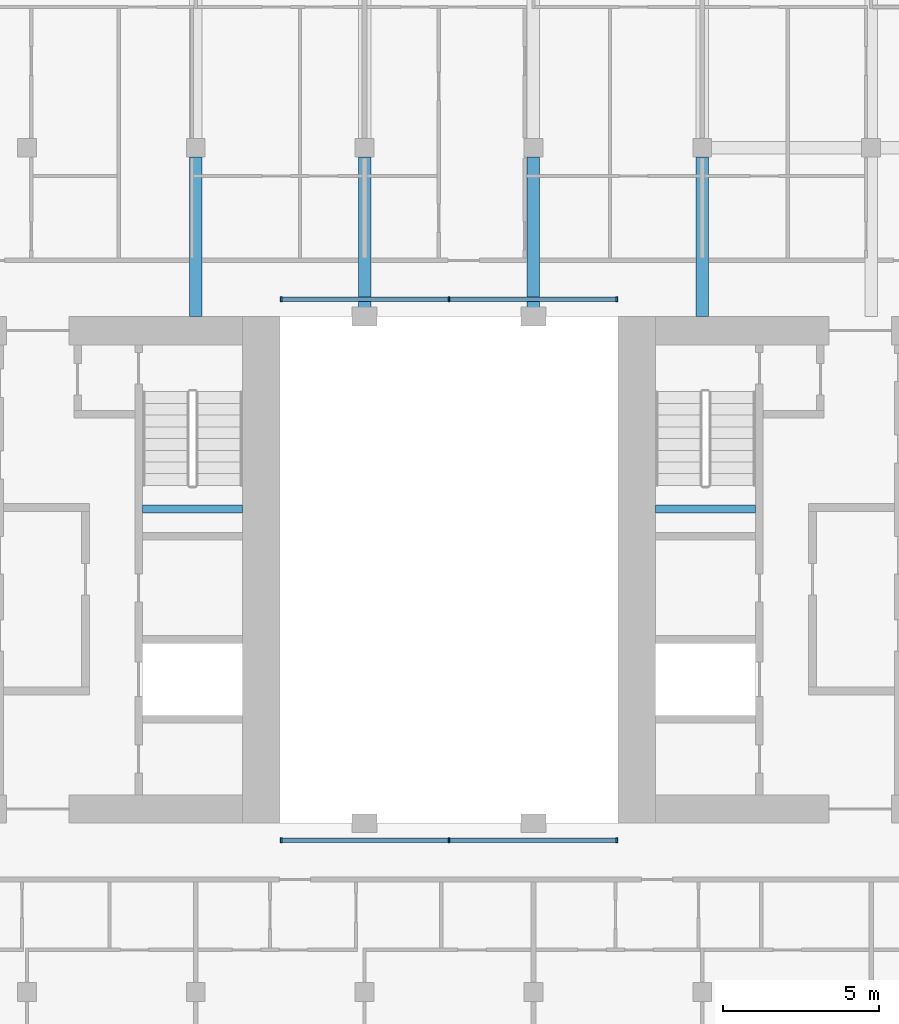
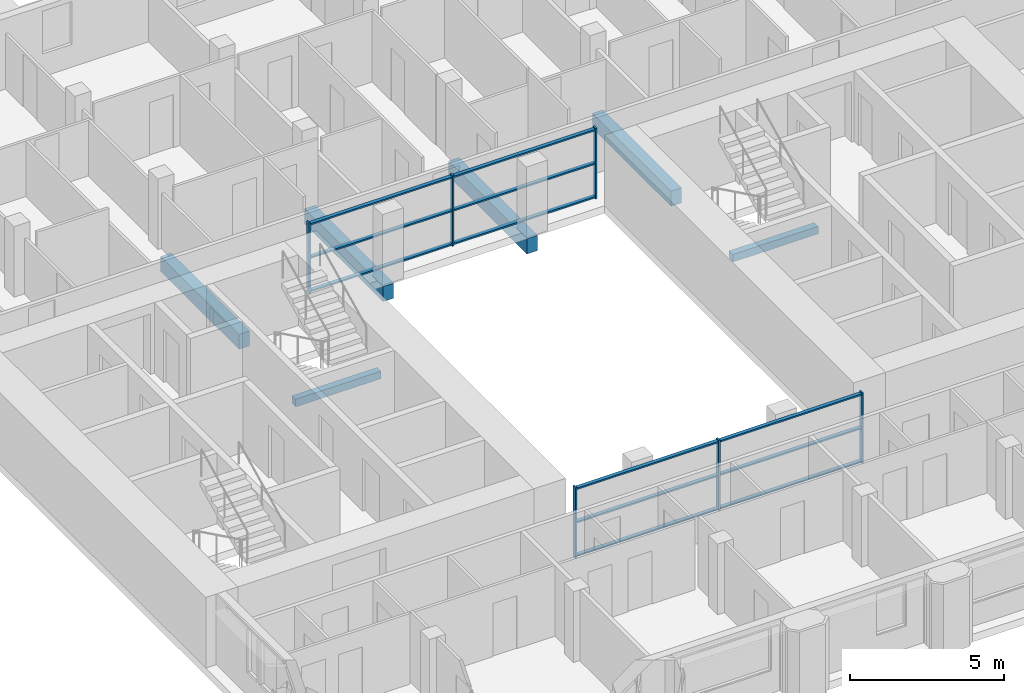
# One storey, part 2 of 13: 18 members, 6 beams, 2 elements without a shape of their own.
"""IFC4 building model written with IfcOpenShell, lengths in metres."""

from ifc_helpers import new_model, si_unit, direction, frame, origin, origin_2d, place, context, subcontext, project, spatial, rectangle, extrude, material, material_profile, profile_set, type_object, element, aggregate, save


model = new_model("IFC4")

# Units and contexts
model_context = context("Model", 3, precision=1e-05, world=origin(), true_north=direction((0.0, 1.0)))
body_context = subcontext(model_context, "Body", "Model", "MODEL_VIEW")
ifc_project = project(units=[si_unit("LENGTHUNIT", "METRE"), si_unit("AREAUNIT", "SQUARE_METRE"), si_unit("VOLUMEUNIT", "CUBIC_METRE"), si_unit("PLANEANGLEUNIT", "RADIAN"), si_unit("MASSUNIT", "GRAM", prefix="KILO")], contexts=[model_context])

# Site, building, storey
site_placement = place(None, origin())
site = spatial("IfcSite", under=ifc_project, at=site_placement, CompositionType="ELEMENT")
building_placement = place(site_placement, origin())
building = spatial("IfcBuilding", under=site, at=building_placement, Name="Tabaq Tower and Sports Hall", CompositionType="ELEMENT")
storey_placement = place(building_placement, frame((0.0, 0.0, 304.89990234375)))
storey = spatial("IfcBuildingStorey", under=building, at=storey_placement, Name="L76", CompositionType="ELEMENT", Elevation=304.89990234375)

# Curtain wall, members
ifc_material_1 = material(Name="Aluminium alloy 6063-T6 framed glazing", Category="aluminium")
curtain_wall_type = type_object("IfcCurtainWallType", Name="CW1 curtain wall", PredefinedType="USERDEFINED", material=ifc_material_1)
curtain_wall_1_placement = place(storey_placement, origin())
curtain_wall_1 = element("IfcCurtainWall", 1, at=curtain_wall_1_placement, inside=storey, type_object=curtain_wall_type, Name="Atrium glazing L76 S", ObjectType="ATRIUM ENCLOSURE", PredefinedType="USERDEFINED")
ifc_material_2 = material(Name="Aluminium alloy 6063-T6", Category="aluminium")
ifc_material_profile_1 = material_profile(ifc_material_2, rectangle(XDim=0.159912109375, YDim=0.06005859375, at=origin_2d()), Name="MULLION 160x60")
ifc_profile_set_1 = profile_set([ifc_material_profile_1], Name="Aluminium alloy 6063-T6")
member_type_1 = type_object("IfcMemberType", Name="CW1 mullion 160x60", PredefinedType="MULLION", material=ifc_profile_set_1)
member_1_placement = place(storey_placement, frame((18.929931640625, 15.64990234375, 0.0), z_axis=(0.0, 0.0, 1.0), x_axis=(0.0, 1.0, 0.0)))
member_1 = element("IfcMember", 2, at=member_1_placement, type_object=member_type_1, Name="CW1 mullion 1", PredefinedType="MULLION", context=body_context, shape_type="SweptSolid", body=[
    extrude(rectangle(XDim=0.159912109375, YDim=0.06005859375, at=origin_2d()), origin(), (0.0, 0.0, 1.0), 2.800048828125),
])
member_2_placement = place(storey_placement, frame((24.300048828125, 15.64990234375, 0.0), z_axis=(0.0, 0.0, 1.0), x_axis=(0.0, 1.0, 0.0)))
member_2 = element("IfcMember", 3, at=member_2_placement, type_object=member_type_1, Name="CW1 mullion 2", PredefinedType="MULLION", context=body_context, shape_type="SweptSolid", body=[
    extrude(rectangle(XDim=0.159912109375, YDim=0.06005859375, at=origin_2d()), origin(), (0.0, 0.0, 1.0), 2.800048828125),
])
member_3_placement = place(storey_placement, frame((29.669921875, 15.64990234375, 0.0), z_axis=(0.0, 0.0, 1.0), x_axis=(0.0, 1.0, 0.0)))
member_3 = element("IfcMember", 4, at=member_3_placement, type_object=member_type_1, Name="CW1 mullion 3", PredefinedType="MULLION", context=body_context, shape_type="SweptSolid", body=[
    extrude(rectangle(XDim=0.159912109375, YDim=0.06005859375, at=origin_2d()), origin(), (0.0, 0.0, 1.0), 2.800048828125),
])

curtain_wall_2_placement = place(storey_placement, origin())
curtain_wall_2 = element("IfcCurtainWall", 5, at=curtain_wall_2_placement, inside=storey, type_object=curtain_wall_type, Name="Atrium glazing L76 N", ObjectType="ATRIUM ENCLOSURE", PredefinedType="USERDEFINED")
member_4_placement = place(storey_placement, frame((18.929931640625, 32.949951171875, 0.0), z_axis=(0.0, 0.0, 1.0), x_axis=(0.0, 1.0, 0.0)))
member_4 = element("IfcMember", 6, at=member_4_placement, type_object=member_type_1, Name="CW1 mullion 1", PredefinedType="MULLION", context=body_context, shape_type="SweptSolid", body=[
    extrude(rectangle(XDim=0.159912109375, YDim=0.06005859375, at=origin_2d()), origin(), (0.0, 0.0, 1.0), 2.800048828125),
])
member_5_placement = place(storey_placement, frame((24.300048828125, 32.949951171875, 0.0), z_axis=(0.0, 0.0, 1.0), x_axis=(0.0, 1.0, 0.0)))
member_5 = element("IfcMember", 7, at=member_5_placement, type_object=member_type_1, Name="CW1 mullion 2", PredefinedType="MULLION", context=body_context, shape_type="SweptSolid", body=[
    extrude(rectangle(XDim=0.159912109375, YDim=0.06005859375, at=origin_2d()), origin(), (0.0, 0.0, 1.0), 2.800048828125),
])
member_6_placement = place(storey_placement, frame((29.669921875, 32.949951171875, 0.0), z_axis=(0.0, 0.0, 1.0), x_axis=(0.0, 1.0, 0.0)))
member_6 = element("IfcMember", 8, at=member_6_placement, type_object=member_type_1, Name="CW1 mullion 3", PredefinedType="MULLION", context=body_context, shape_type="SweptSolid", body=[
    extrude(rectangle(XDim=0.159912109375, YDim=0.06005859375, at=origin_2d()), origin(), (0.0, 0.0, 1.0), 2.800048828125),
])

# Member
ifc_material_3 = material(Name="Aluminium alloy 6063-T6", Category="aluminium")
ifc_material_profile_2 = material_profile(ifc_material_3, rectangle(XDim=0.139892578125, YDim=0.06005859375, at=origin_2d()), Name="TRANSOM 140x60")
ifc_profile_set_2 = profile_set([ifc_material_profile_2], Name="Aluminium alloy 6063-T6")
member_type_2 = type_object("IfcMemberType", Name="CW1 transom 140x60", PredefinedType="USERDEFINED", material=ifc_profile_set_2)
member_7_placement = place(storey_placement, frame((18.9599609375, 15.64990234375, 0.070068359375), z_axis=(1.0, 0.0, 0.0), x_axis=(0.0, 1.0, 0.0)))
member_7 = element("IfcMember", 9, at=member_7_placement, type_object=member_type_2, Name="CW1 transom 1.1", ObjectType="TRANSOM", PredefinedType="USERDEFINED", context=body_context, shape_type="SweptSolid", body=[
    extrude(rectangle(XDim=0.139892578125, YDim=0.06005859375, at=origin_2d()), origin(), (0.0, 0.0, 1.0), 5.31005859375),
])

member_8_placement = place(storey_placement, frame((18.9599609375, 15.64990234375, 1.400146484375), z_axis=(1.0, 0.0, 0.0), x_axis=(0.0, 1.0, 0.0)))
member_8 = element("IfcMember", 10, at=member_8_placement, type_object=member_type_2, Name="CW1 transom 1.2", ObjectType="TRANSOM", PredefinedType="USERDEFINED", context=body_context, shape_type="SweptSolid", body=[
    extrude(rectangle(XDim=0.139892578125, YDim=0.06005859375, at=origin_2d()), origin(), (0.0, 0.0, 1.0), 5.31005859375),
])

member_9_placement = place(storey_placement, frame((18.9599609375, 15.64990234375, 2.72998046875), z_axis=(1.0, 0.0, 0.0), x_axis=(0.0, 1.0, 0.0)))
member_9 = element("IfcMember", 11, at=member_9_placement, type_object=member_type_2, Name="CW1 transom 1.3", ObjectType="TRANSOM", PredefinedType="USERDEFINED", context=body_context, shape_type="SweptSolid", body=[
    extrude(rectangle(XDim=0.139892578125, YDim=0.06005859375, at=origin_2d()), origin(), (0.0, 0.0, 1.0), 5.31005859375),
])

member_10_placement = place(storey_placement, frame((24.330078125, 15.64990234375, 0.070068359375), z_axis=(1.0, 0.0, 0.0), x_axis=(0.0, 1.0, 0.0)))
member_10 = element("IfcMember", 12, at=member_10_placement, type_object=member_type_2, Name="CW1 transom 2.1", ObjectType="TRANSOM", PredefinedType="USERDEFINED", context=body_context, shape_type="SweptSolid", body=[
    extrude(rectangle(XDim=0.139892578125, YDim=0.06005859375, at=origin_2d()), origin(), (0.0, 0.0, 1.0), 5.309814453125),
])

member_11_placement = place(storey_placement, frame((24.330078125, 15.64990234375, 1.400146484375), z_axis=(1.0, 0.0, 0.0), x_axis=(0.0, 1.0, 0.0)))
member_11 = element("IfcMember", 13, at=member_11_placement, type_object=member_type_2, Name="CW1 transom 2.2", ObjectType="TRANSOM", PredefinedType="USERDEFINED", context=body_context, shape_type="SweptSolid", body=[
    extrude(rectangle(XDim=0.139892578125, YDim=0.06005859375, at=origin_2d()), origin(), (0.0, 0.0, 1.0), 5.309814453125),
])

member_12_placement = place(storey_placement, frame((24.330078125, 15.64990234375, 2.72998046875), z_axis=(1.0, 0.0, 0.0), x_axis=(0.0, 1.0, 0.0)))
member_12 = element("IfcMember", 14, at=member_12_placement, type_object=member_type_2, Name="CW1 transom 2.3", ObjectType="TRANSOM", PredefinedType="USERDEFINED", context=body_context, shape_type="SweptSolid", body=[
    extrude(rectangle(XDim=0.139892578125, YDim=0.06005859375, at=origin_2d()), origin(), (0.0, 0.0, 1.0), 5.309814453125),
])

aggregate(curtain_wall_1, [member_1, member_2, member_3, member_7, member_8, member_9, member_10, member_11, member_12])

member_13_placement = place(storey_placement, frame((18.9599609375, 32.949951171875, 0.070068359375), z_axis=(1.0, 0.0, 0.0), x_axis=(0.0, 1.0, 0.0)))
member_13 = element("IfcMember", 15, at=member_13_placement, type_object=member_type_2, Name="CW1 transom 1.1", ObjectType="TRANSOM", PredefinedType="USERDEFINED", context=body_context, shape_type="SweptSolid", body=[
    extrude(rectangle(XDim=0.139892578125, YDim=0.06005859375, at=origin_2d()), origin(), (0.0, 0.0, 1.0), 5.31005859375),
])

member_14_placement = place(storey_placement, frame((18.9599609375, 32.949951171875, 1.400146484375), z_axis=(1.0, 0.0, 0.0), x_axis=(0.0, 1.0, 0.0)))
member_14 = element("IfcMember", 16, at=member_14_placement, type_object=member_type_2, Name="CW1 transom 1.2", ObjectType="TRANSOM", PredefinedType="USERDEFINED", context=body_context, shape_type="SweptSolid", body=[
    extrude(rectangle(XDim=0.139892578125, YDim=0.06005859375, at=origin_2d()), origin(), (0.0, 0.0, 1.0), 5.31005859375),
])

member_15_placement = place(storey_placement, frame((18.9599609375, 32.949951171875, 2.72998046875), z_axis=(1.0, 0.0, 0.0), x_axis=(0.0, 1.0, 0.0)))
member_15 = element("IfcMember", 17, at=member_15_placement, type_object=member_type_2, Name="CW1 transom 1.3", ObjectType="TRANSOM", PredefinedType="USERDEFINED", context=body_context, shape_type="SweptSolid", body=[
    extrude(rectangle(XDim=0.139892578125, YDim=0.06005859375, at=origin_2d()), origin(), (0.0, 0.0, 1.0), 5.31005859375),
])

member_16_placement = place(storey_placement, frame((24.330078125, 32.949951171875, 0.070068359375), z_axis=(1.0, 0.0, 0.0), x_axis=(0.0, 1.0, 0.0)))
member_16 = element("IfcMember", 18, at=member_16_placement, type_object=member_type_2, Name="CW1 transom 2.1", ObjectType="TRANSOM", PredefinedType="USERDEFINED", context=body_context, shape_type="SweptSolid", body=[
    extrude(rectangle(XDim=0.139892578125, YDim=0.06005859375, at=origin_2d()), origin(), (0.0, 0.0, 1.0), 5.309814453125),
])

member_17_placement = place(storey_placement, frame((24.330078125, 32.949951171875, 1.400146484375), z_axis=(1.0, 0.0, 0.0), x_axis=(0.0, 1.0, 0.0)))
member_17 = element("IfcMember", 19, at=member_17_placement, type_object=member_type_2, Name="CW1 transom 2.2", ObjectType="TRANSOM", PredefinedType="USERDEFINED", context=body_context, shape_type="SweptSolid", body=[
    extrude(rectangle(XDim=0.139892578125, YDim=0.06005859375, at=origin_2d()), origin(), (0.0, 0.0, 1.0), 5.309814453125),
])

member_18_placement = place(storey_placement, frame((24.330078125, 32.949951171875, 2.72998046875), z_axis=(1.0, 0.0, 0.0), x_axis=(0.0, 1.0, 0.0)))
member_18 = element("IfcMember", 20, at=member_18_placement, type_object=member_type_2, Name="CW1 transom 2.3", ObjectType="TRANSOM", PredefinedType="USERDEFINED", context=body_context, shape_type="SweptSolid", body=[
    extrude(rectangle(XDim=0.139892578125, YDim=0.06005859375, at=origin_2d()), origin(), (0.0, 0.0, 1.0), 5.309814453125),
])

aggregate(curtain_wall_2, [member_4, member_5, member_6, member_13, member_14, member_15, member_16, member_17, member_18])

# Beams
ifc_material_4 = material(Name="Concrete C40/50", Category="concrete")
ifc_material_profile_3 = material_profile(ifc_material_4, rectangle(XDim=0.39990234375, YDim=0.60009765625, at=origin_2d()), Name="CB 400x600")
ifc_profile_set_3 = profile_set([ifc_material_profile_3], Name="Concrete C40/50")
beam_type_1 = type_object("IfcBeamType", Name="PT CANTILEVER BEAM CB 400x600 C40/50", PredefinedType="BEAM", material=ifc_profile_set_3)
for number, where, z_axis, x_axis, name in (
    (21, (16.199951171875, 37.5, -0.599853515625), (0.0, -1.0, 0.0), (1.0, 0.0, 0.0), "Cantilever Beam L76 N3 span 3"),
    (22, (21.60009765625, 37.5, -0.599853515625), (0.0, -1.0, 0.0), (1.0, 0.0, 0.0), "Cantilever Beam L76 N4 span 3"),
    (23, (27.0, 37.5, -0.599853515625), (0.0, -1.0, 0.0), (1.0, 0.0, 0.0), "Cantilever Beam L76 N5 span 3"),
    (24, (32.39990234375, 37.5, -0.599853515625), (0.0, -1.0, 0.0), (1.0, 0.0, 0.0), "Cantilever Beam L76 N6 span 3"),
):
    element("IfcBeam", number, at=place(storey_placement, frame(where, z_axis=z_axis, x_axis=x_axis)), inside=storey, type_object=beam_type_1, Name=name, PredefinedType="BEAM", context=body_context, shape_type="SweptSolid", body=[
        extrude(rectangle(XDim=0.39990234375, YDim=0.60009765625, at=origin_2d()), origin(), (0.0, 0.0, 1.0), 5.10009765625),
    ])
ifc_material_5 = material(Name="Concrete C40/50", Category="concrete")
ifc_material_profile_4 = material_profile(ifc_material_5, rectangle(XDim=0.25, YDim=0.300048828125, at=origin_2d()), Name="RC 250x300")
ifc_profile_set_4 = profile_set([ifc_material_profile_4], Name="Concrete C40/50")
beam_type_2 = type_object("IfcBeamType", Name="Stair landing beam 250x300", PredefinedType="BEAM", material=ifc_profile_set_4)
beam_1_placement = place(storey_placement, frame((14.5, 26.25, 1.300048828125), z_axis=(1.0, 0.0, 0.0), x_axis=(0.0, 1.0, 0.0)))
element("IfcBeam", 25, at=beam_1_placement, inside=storey, type_object=beam_type_2, Name="L76 ST2 landing beam 1", PredefinedType="BEAM", context=body_context, shape_type="SweptSolid", body=[
    extrude(rectangle(XDim=0.25, YDim=0.300048828125, at=origin_2d()), origin(), (0.0, 0.0, 1.0), 3.199951171875),
])
beam_2_placement = place(storey_placement, frame((30.89990234375, 26.25, 1.300048828125), z_axis=(1.0, 0.0, 0.0), x_axis=(0.0, 1.0, 0.0)))
element("IfcBeam", 26, at=beam_2_placement, inside=storey, type_object=beam_type_2, Name="L76 ST4 landing beam 1", PredefinedType="BEAM", context=body_context, shape_type="SweptSolid", body=[
    extrude(rectangle(XDim=0.25, YDim=0.300048828125, at=origin_2d()), origin(), (0.0, 0.0, 1.0), 3.2001953125),
])

save(model, "model.ifc")
